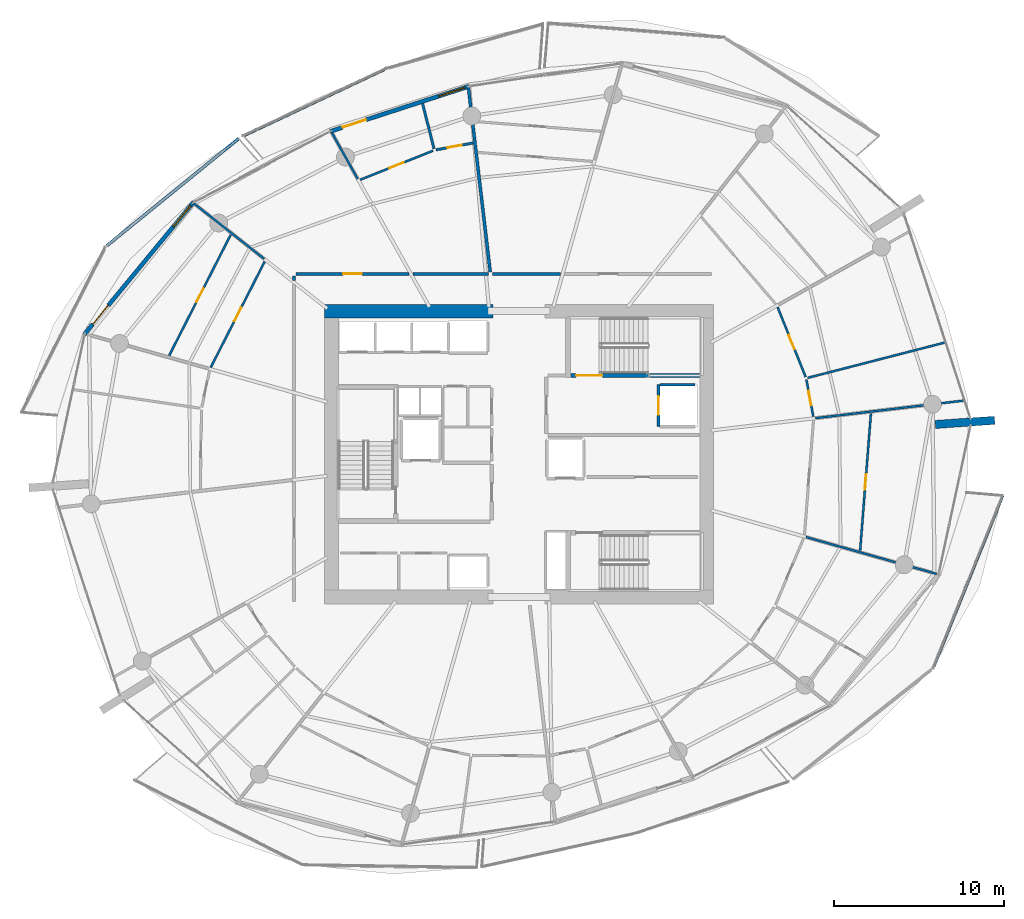
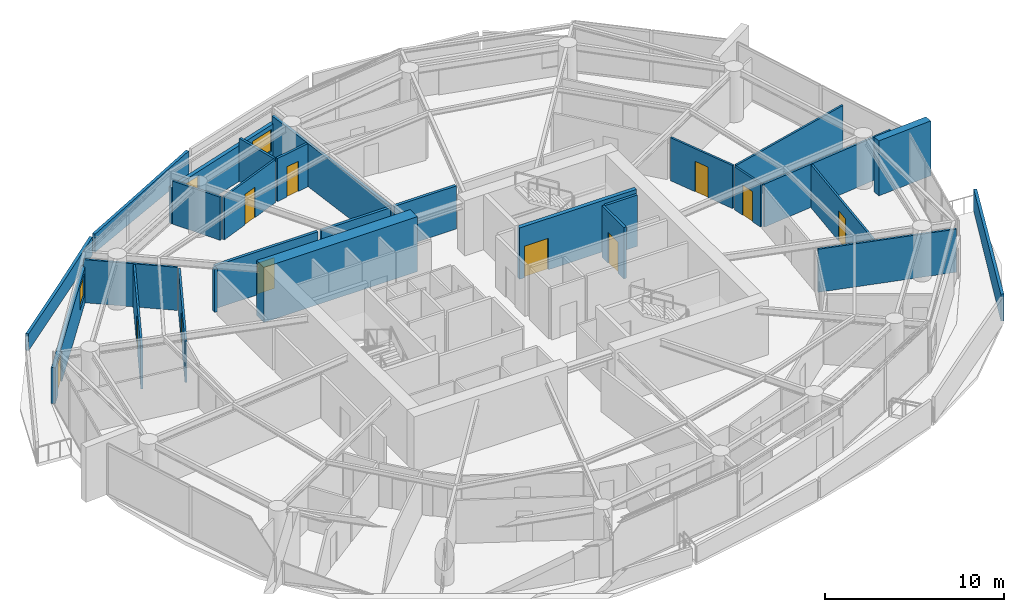
# One storey, part 14 of 20: 28 walls, 12 doors, 2 windows, 14 openings.
"""IFC4 building model written with IfcOpenShell, lengths in metres."""

from ifc_helpers import new_model, si_unit, direction, frame, frame_2d, origin, place, context, subcontext, project, spatial, polyline, rectangle, outline, extrude, material, layer, layer_set, type_object, element, fill, save


model = new_model("IFC4")

# Units and contexts
model_context = context("Model", 3, precision=1e-05, world=origin(), true_north=direction((0.0, 1.0)))
body_context = subcontext(model_context, "Body", "Model", "MODEL_VIEW")
ifc_project = project(units=[si_unit("LENGTHUNIT", "METRE"), si_unit("AREAUNIT", "SQUARE_METRE"), si_unit("VOLUMEUNIT", "CUBIC_METRE"), si_unit("PLANEANGLEUNIT", "RADIAN"), si_unit("MASSUNIT", "GRAM", prefix="KILO")], contexts=[model_context])

# Site, building, storey
site_placement = place(None, origin())
site = spatial("IfcSite", under=ifc_project, at=site_placement, CompositionType="ELEMENT")
building_placement = place(site_placement, origin())
building = spatial("IfcBuilding", under=site, at=building_placement, Name="Kazma Halo Residences", CompositionType="ELEMENT")
storey_placement = place(building_placement, frame((0.0, 0.0, 157.800048828125)))
storey = spatial("IfcBuildingStorey", under=building, at=storey_placement, Name="L39", CompositionType="ELEMENT", Elevation=157.800048828125)

# Walls
ifc_material_1 = material(Name="White Concrete C50/60 Balustrade", Category="concrete")
ifc_layer_1 = layer(ifc_material_1, 0.179931640625)
ifc_layer_set_1 = layer_set([ifc_layer_1], Name="White Concrete C50/60 Balustrade")
wall_type_1 = type_object("IfcWallType", Name="WL-BAL-WAVE-180", PredefinedType="PARAPET", material=ifc_layer_set_1)
wall_1_placement = place(storey_placement, frame((40.5224609375, 64.628173828125, 0.0), z_axis=(0.0, 0.0, 1.0), x_axis=(-0.904569140233, -0.42632695263, 0.0)))
element("IfcWall", 1, at=wall_1_placement, inside=storey, type_object=wall_type_1, Name="L39 white wave balustrade wall NNW.2", PredefinedType="PARAPET", context=body_context, shape_type="SweptSolid", body=[
    extrude(outline(polyline([(0.0, 0.0), (9.184326171875, 0.0), (9.184326171875, 1.23291015625), (4.59228515625, 1.41796875), (0.0, 1.6318359375), (0.0, 0.0)])), frame((0.0, 0.08984375, 0.0), z_axis=(0.0, -1.0, 0.0), x_axis=(1.0, 0.0, 0.0)), (0.0, 0.0, 1.0), 0.179931640625),
])
wall_2_placement = place(storey_placement, frame((31.951171875, 60.56005859375, 0.0), z_axis=(0.0, 0.0, 1.0), x_axis=(-0.77587192649, -0.630890445073, 0.0)))
element("IfcWall", 2, at=wall_2_placement, inside=storey, type_object=wall_type_1, Name="L39 white wave balustrade wall NW.1", PredefinedType="PARAPET", context=body_context, shape_type="SweptSolid", body=[
    extrude(outline(polyline([(0.0, 0.0), (9.99755859375, 0.0), (9.99755859375, 1.14794921875), (4.998779296875, 1.126953125), (0.0, 1.223876953125), (0.0, 0.0)])), frame((0.0, 0.08984375, 0.0), z_axis=(0.0, -1.0, 0.0), x_axis=(1.0, 0.0, 0.0)), (0.0, 0.0, 1.0), 0.179931640625),
])
wall_3_placement = place(storey_placement, frame((72.7998046875, 29.498046875, 0.0), z_axis=(0.0, 0.0, 1.0), x_axis=(0.373952087888, 0.927448023322, 0.0)))
element("IfcWall", 3, at=wall_3_placement, inside=storey, type_object=wall_type_1, Name="L39 white wave balustrade wall SE.2", PredefinedType="PARAPET", context=body_context, shape_type="SweptSolid", body=[
    extrude(outline(polyline([(0.0, 0.0), (10.840087890625, 0.0), (10.840087890625, 1.4970703125), (5.420166015625, 1.696044921875), (0.0, 1.83203125), (0.0, 0.0)])), frame((0.0, 0.08984375, 0.0), z_axis=(0.0, -1.0, 0.0), x_axis=(1.0, 0.0, 0.0)), (0.0, 0.0, 1.0), 0.179931640625),
])
ifc_material_2 = material(Name="Pale Concrete C60/75", Category="concrete")
ifc_layer_2 = layer(ifc_material_2, 0.47998046875)
ifc_layer_set_2 = layer_set([ifc_layer_2], Name="Pale Concrete C60/75")
wall_type_2 = type_object("IfcWallType", Name="WL-BLADE-480", PredefinedType="SOLIDWALL", material=ifc_layer_set_2)
wall_4_placement = place(storey_placement, frame((72.89697265625, 43.740966796875, 0.0), z_axis=(0.0, 0.0, 1.0), x_axis=(0.997564163539, 0.069754853754, 0.0)))
element("IfcWall", 4, at=wall_4_placement, inside=storey, type_object=wall_type_2, Name="L39 pale concrete structural blade fin wall BW-04", PredefinedType="SOLIDWALL", context=body_context, shape_type="SweptSolid", body=[
    extrude(rectangle(XDim=3.5, YDim=0.47998046875, at=frame_2d((1.75, 0.0))), origin(), (0.0, 0.0, 1.0), 3.75),
])
ifc_material_3 = material(Name="Concrete C80/95", Category="concrete")
ifc_layer_3 = layer(ifc_material_3, 0.800048828125)
ifc_layer_set_3 = layer_set([ifc_layer_3], Name="Concrete C80/95")
wall_type_3 = type_object("IfcWallType", Name="WL-CORE-800", PredefinedType="SHEAR", material=ifc_layer_set_3)
wall_5_placement = place(storey_placement, frame((37.0, 50.39990234375, 0.0), z_axis=(0.0, 0.0, 1.0), x_axis=(1.0, 0.0, 0.0)))
element("IfcWall", 5, at=wall_5_placement, inside=storey, type_object=wall_type_3, Name="L39 central core shear wall NW", PredefinedType="SHEAR", context=body_context, shape_type="SweptSolid", body=[
    extrude(rectangle(XDim=9.89990234375, YDim=0.800048828125, at=frame_2d((4.949951171875, 0.0))), origin(), (0.0, 0.0, 1.0), 3.75),
])
ifc_material_4 = material(Name="Acoustic Twin-Stud Gypsum")
ifc_layer_4 = layer(ifc_material_4, 0.179931640625)
ifc_layer_set_4 = layer_set([ifc_layer_4], Name="Acoustic Twin-Stud Gypsum")
wall_type_4 = type_object("IfcWallType", Name="WL-DEM-180", PredefinedType="PARTITIONING", material=ifc_layer_set_4)
wall_6_placement = place(storey_placement, frame((46.732421875, 52.709228515625, 0.0), z_axis=(0.0, 0.0, 1.0), x_axis=(-0.117537145285, 0.993068486802, 0.0)))
element("IfcWall", 6, at=wall_6_placement, inside=storey, type_object=wall_type_4, Name="L39 apartment demising radial wall 03", PredefinedType="PARTITIONING", context=body_context, shape_type="SweptSolid", body=[
    extrude(rectangle(XDim=10.95068359375, YDim=0.179931640625, at=frame_2d((5.475341796875, 0.0))), origin(), (0.0, 0.0, 1.0), 2.93994140625),
])

# Wall, opening, door
wall_7_placement = place(storey_placement, frame((41.943603515625, 52.60009765625, 0.0), z_axis=(0.0, 0.0, 1.0), x_axis=(-1.0, 0.0, 0.0)))
wall_7 = element("IfcWall", 7, at=wall_7_placement, inside=storey, type_object=wall_type_4, Name="L39 Apartment 1 entrance corridor wall", PredefinedType="PARTITIONING", context=body_context, shape_type="SweptSolid", body=[
    extrude(rectangle(XDim=6.62353515625, YDim=0.179931640625, at=frame_2d((3.311767578125, 0.0))), origin(), (0.0, 0.0, 1.0), 2.93994140625),
])
opening_1_placement = place(wall_7_placement, frame((2.76171875, 0.0, 0.0)))
opening_1 = element("IfcOpeningElement", 8, at=opening_1_placement, cuts=wall_7, Name="Opening DA-1100", PredefinedType="OPENING", context=body_context, shape_type="SweptSolid", body=[
    extrude(rectangle(XDim=1.10009765625, YDim=2.10009765625, at=frame_2d((0.550048828125, 1.050048828125))), frame((0.0, 0.099853515625, 0.0), z_axis=(0.0, -1.0, 0.0), x_axis=(1.0, 0.0, 0.0)), (0.0, 0.0, 1.0), 0.199951171875),
])
ifc_material_5 = material(Name="Acoustic Walnut Fire Leaf")
door_type_1 = type_object("IfcDoorType", Name="DR-FD60-1100", OperationType="NOTDEFINED", PredefinedType="DOOR", material=ifc_material_5)
door_1_placement = place(opening_1_placement, origin())
door_1 = element("IfcDoor", 9, at=door_1_placement, inside=storey, type_object=door_type_1, Name="L39 Apartment 1 entrance fire door", OperationType="SINGLE_SWING_LEFT", OverallHeight=2.10009765625, OverallWidth=1.10009765625, PredefinedType="DOOR", context=body_context, shape_type="SweptSolid", body=[
    extrude(rectangle(XDim=1.10009765625, YDim=2.10009765625, at=frame_2d((0.550048828125, 1.050048828125))), frame((0.0, 0.02490234375, 0.0), z_axis=(0.0, -1.0, 0.0), x_axis=(1.0, 0.0, 0.0)), (0.0, 0.0, 1.0), 0.050048828125),
])
fill(opening_1, door_1)

# Walls
wall_8_placement = place(storey_placement, frame((35.199951171875, 52.47998046875, 0.0), z_axis=(0.0, 0.0, 1.0), x_axis=(0.0, -1.0, 0.0)))
element("IfcWall", 10, at=wall_8_placement, inside=storey, type_object=wall_type_4, Name="L39 Apartment 1 entrance corridor wall", PredefinedType="PARTITIONING", context=body_context, shape_type="SweptSolid", body=[
    extrude(rectangle(XDim=0.269287109375, YDim=0.179931640625, at=frame_2d((0.134765625, 0.0))), origin(), (0.0, 0.0, 1.0), 2.93994140625),
])
wall_9_placement = place(storey_placement, frame((46.62548828125, 52.60009765625, 0.0), z_axis=(0.0, 0.0, 1.0), x_axis=(-1.0, 0.0, 0.0)))
element("IfcWall", 11, at=wall_9_placement, inside=storey, type_object=wall_type_4, Name="L39 Apartment 1 inner wall 3", PredefinedType="PARTITIONING", context=body_context, shape_type="SweptSolid", body=[
    extrude(rectangle(XDim=4.44189453125, YDim=0.179931640625, at=frame_2d((2.220947265625, 0.0))), origin(), (0.0, 0.0, 1.0), 2.93994140625),
])
wall_10_placement = place(storey_placement, frame((50.869384765625, 52.60009765625, 0.0), z_axis=(0.0, 0.0, 1.0), x_axis=(-1.0, 0.0, 0.0)))
element("IfcWall", 12, at=wall_10_placement, inside=storey, type_object=wall_type_4, Name="L39 Apartment 3 inner wall 2", PredefinedType="PARTITIONING", context=body_context, shape_type="SweptSolid", body=[
    extrude(rectangle(XDim=4.00390625, YDim=0.179931640625, at=frame_2d((2.001953125, 0.0))), origin(), (0.0, 0.0, 1.0), 2.93994140625),
])

# Wall, openings, door, window
ifc_material_6 = material(Name="Insulated Pale-Metal Composite Wall")
ifc_layer_5 = layer(ifc_material_6, 0.239990234375)
ifc_layer_set_5 = layer_set([ifc_layer_5], Name="Insulated Pale-Metal Composite Wall")
wall_type_5 = type_object("IfcWallType", Name="WL-EXT-HOST-240", PredefinedType="SOLIDWALL", material=ifc_layer_set_5)
wall_11_placement = place(storey_placement, frame((45.489990234375, 63.624267578125, 0.0), z_axis=(0.0, 0.0, 1.0), x_axis=(-0.951046390632, -0.309048156224, 0.0)))
wall_11 = element("IfcWall", 13, at=wall_11_placement, inside=storey, type_object=wall_type_5, Name="L39 exterior terrace-access wall B04", PredefinedType="SOLIDWALL", context=body_context, shape_type="SweptSolid", body=[
    extrude(rectangle(XDim=8.590087890625, YDim=0.239990234375, at=frame_2d((4.294921875, 0.0))), origin(), (0.0, 0.0, 1.0), 2.449951171875),
])
opening_2_placement = place(wall_11_placement, frame((6.370361328125, 0.0, 0.0)))
opening_2 = element("IfcOpeningElement", 14, at=opening_2_placement, cuts=wall_11, Name="Opening DTR-1600", PredefinedType="OPENING", context=body_context, shape_type="SweptSolid", body=[
    extrude(rectangle(XDim=1.449951171875, YDim=2.14990234375, at=frame_2d((0.72509765625, 1.074951171875))), frame((0.0, 0.1298828125, 0.0), z_axis=(0.0, -1.0, 0.0), x_axis=(1.0, 0.0, 0.0)), (0.0, 0.0, 1.0), 0.260009765625),
])
opening_3_placement = place(wall_11_placement, frame((0.280029296875, 0.0, 0.64990234375)))
opening_3 = element("IfcOpeningElement", 15, at=opening_3_placement, cuts=wall_11, Name="Opening W-1800", PredefinedType="OPENING", context=body_context, shape_type="SweptSolid", body=[
    extrude(rectangle(XDim=1.60009765625, YDim=1.5, at=frame_2d((0.800048828125, 0.75))), frame((0.0, 0.1298828125, 0.0), z_axis=(0.0, -1.0, 0.0), x_axis=(1.0, 0.0, 0.0)), (0.0, 0.0, 1.0), 0.260009765625),
])
ifc_material_7 = material(Name="Aluminium AW-6063 T6 Double-Glazed Terrace Door", Category="aluminium")
door_type_2 = type_object("IfcDoorType", Name="DR-EXT-TERR-1600", OperationType="NOTDEFINED", PredefinedType="DOOR", material=ifc_material_7)
door_2_placement = place(opening_2_placement, origin())
door_2 = element("IfcDoor", 16, at=door_2_placement, inside=storey, type_object=door_type_2, Name="L39 B04 balcony terrace door", OperationType="DOUBLE_DOOR_SLIDING", OverallHeight=2.14990234375, OverallWidth=1.449951171875, PredefinedType="DOOR", context=body_context, shape_type="SweptSolid", body=[
    extrude(rectangle(XDim=1.449951171875, YDim=2.14990234375, at=frame_2d((0.72509765625, 1.074951171875))), frame((0.0, 0.02490234375, 0.0), z_axis=(0.0, -1.0, 0.0), x_axis=(1.0, 0.0, 0.0)), (0.0, 0.0, 1.0), 0.050048828125),
])
fill(opening_2, door_2)
ifc_material_8 = material(Name="Clear Triple-Silver Low-E Glass in Aluminium AW-6063 T6 Frame", Category="aluminium")
window_type = type_object("IfcWindowType", Name="WIN-RES-1800", PartitioningType="DOUBLE_PANEL_VERTICAL", PredefinedType="WINDOW", material=ifc_material_8)
window_1_placement = place(opening_3_placement, origin())
window_1 = element("IfcWindow", 17, at=window_1_placement, inside=storey, type_object=window_type, Name="L39 B04 apartment window", OverallHeight=1.5, OverallWidth=1.60009765625, PartitioningType="SINGLE_PANEL", PredefinedType="WINDOW", context=body_context, shape_type="SweptSolid", body=[
    extrude(rectangle(XDim=1.60009765625, YDim=1.5, at=frame_2d((0.800048828125, 0.75))), frame((0.0, 0.030029296875, 0.0), z_axis=(0.0, -1.0, 0.0), x_axis=(1.0, 0.0, 0.0)), (0.0, 0.0, 1.0), 0.06005859375),
])
fill(opening_3, window_1)

wall_12_placement = place(storey_placement, frame((29.29052734375, 56.81298828125, 0.0), z_axis=(0.0, 0.0, 1.0), x_axis=(-0.636771922292, -0.77105221547, 0.0)))
wall_12 = element("IfcWall", 18, at=wall_12_placement, inside=storey, type_object=wall_type_5, Name="L39 exterior terrace-access wall B06", PredefinedType="SOLIDWALL", context=body_context, shape_type="SweptSolid", body=[
    extrude(rectangle(XDim=10.08154296875, YDim=0.239990234375, at=frame_2d((5.040771484375, 0.0))), origin(), (0.0, 0.0, 1.0), 2.449951171875),
])
opening_4_placement = place(wall_12_placement, frame((7.861572265625, 0.0, 0.0)))
opening_4 = element("IfcOpeningElement", 19, at=opening_4_placement, cuts=wall_12, Name="Opening DTR-1600", PredefinedType="OPENING", context=body_context, shape_type="SweptSolid", body=[
    extrude(rectangle(XDim=1.449951171875, YDim=2.14990234375, at=frame_2d((0.72509765625, 1.074951171875))), frame((0.0, 0.1298828125, 0.0), z_axis=(0.0, -1.0, 0.0), x_axis=(1.0, 0.0, 0.0)), (0.0, 0.0, 1.0), 0.260009765625),
])
opening_5_placement = place(wall_12_placement, frame((0.280029296875, 0.0, 0.64990234375)))
opening_5 = element("IfcOpeningElement", 20, at=opening_5_placement, cuts=wall_12, Name="Opening W-1800", PredefinedType="OPENING", context=body_context, shape_type="SweptSolid", body=[
    extrude(rectangle(XDim=1.60009765625, YDim=1.5, at=frame_2d((0.800048828125, 0.75))), frame((0.0, 0.1298828125, 0.0), z_axis=(0.0, -1.0, 0.0), x_axis=(1.0, 0.0, 0.0)), (0.0, 0.0, 1.0), 0.260009765625),
])
door_3_placement = place(opening_4_placement, origin())
door_3 = element("IfcDoor", 21, at=door_3_placement, inside=storey, type_object=door_type_2, Name="L39 B06 balcony terrace door", OperationType="DOUBLE_DOOR_SLIDING", OverallHeight=2.14990234375, OverallWidth=1.449951171875, PredefinedType="DOOR", context=body_context, shape_type="SweptSolid", body=[
    extrude(rectangle(XDim=1.449951171875, YDim=2.14990234375, at=frame_2d((0.72509765625, 1.074951171875))), frame((0.0, 0.02490234375, 0.0), z_axis=(0.0, -1.0, 0.0), x_axis=(1.0, 0.0, 0.0)), (0.0, 0.0, 1.0), 0.050048828125),
])
fill(opening_4, door_3)
window_2_placement = place(opening_5_placement, origin())
window_2 = element("IfcWindow", 22, at=window_2_placement, inside=storey, type_object=window_type, Name="L39 B06 apartment window", OverallHeight=1.5, OverallWidth=1.60009765625, PartitioningType="SINGLE_PANEL", PredefinedType="WINDOW", context=body_context, shape_type="SweptSolid", body=[
    extrude(rectangle(XDim=1.60009765625, YDim=1.5, at=frame_2d((0.800048828125, 0.75))), frame((0.0, 0.030029296875, 0.0), z_axis=(0.0, -1.0, 0.0), x_axis=(1.0, 0.0, 0.0)), (0.0, 0.0, 1.0), 0.06005859375),
])
fill(opening_5, window_2)

# Wall, opening, door
ifc_material_9 = material(Name="Fire-Rated Blockwork Masonry", Category="masonry")
ifc_layer_6 = layer(ifc_material_9, 0.199951171875)
ifc_layer_set_6 = layer_set([ifc_layer_6], Name="Fire-Rated Blockwork Masonry")
wall_type_6 = type_object("IfcWallType", Name="WL-FLB-200", PredefinedType="PARTITIONING", material=ifc_layer_set_6)
wall_13_placement = place(storey_placement, frame((56.6201171875, 46.080078125, 0.0), z_axis=(0.0, 0.0, 1.0), x_axis=(0.0, -1.0, 0.0)))
wall_13 = element("IfcWall", 23, at=wall_13_placement, inside=storey, type_object=wall_type_6, Name="L39 lift shaft FL-02 front wall", PredefinedType="PARTITIONING", context=body_context, shape_type="SweptSolid", body=[
    extrude(rectangle(XDim=2.4599609375, YDim=0.159912109375, at=frame_2d((1.22998046875, 0.0))), origin(), (0.0, 0.0, 1.0), 3.5),
])
opening_6_placement = place(wall_13_placement, frame((0.679931640625, 0.0, 0.0)))
opening_6 = element("IfcOpeningElement", 24, at=opening_6_placement, cuts=wall_13, Name="Opening LD-FL-02", PredefinedType="OPENING", context=body_context, shape_type="SweptSolid", body=[
    extrude(rectangle(XDim=1.10009765625, YDim=2.10009765625, at=frame_2d((0.550048828125, 1.050048828125))), frame((0.0, 0.08984375, 0.0), z_axis=(0.0, -1.0, 0.0), x_axis=(1.0, 0.0, 0.0)), (0.0, 0.0, 1.0), 0.179931640625),
])
ifc_material_10 = material(Name="Stainless Steel Fire-Rated", Category="steel")
door_type_3 = type_object("IfcDoorType", Name="DR-LIFT-SLD-1100", OperationType="DOUBLE_DOOR_SLIDING", PredefinedType="DOOR", material=ifc_material_10)
door_4_placement = place(opening_6_placement, origin())
door_4 = element("IfcDoor", 25, at=door_4_placement, inside=storey, type_object=door_type_3, Name="L39 lift FL-02 sliding landing door", OperationType="DOUBLE_DOOR_SLIDING", OverallHeight=2.10009765625, OverallWidth=1.10009765625, PredefinedType="DOOR", context=body_context, shape_type="SweptSolid", body=[
    extrude(rectangle(XDim=1.10009765625, YDim=2.10009765625, at=frame_2d((0.550048828125, 1.050048828125))), frame((0.0, 0.02490234375, 0.0), z_axis=(0.0, -1.0, 0.0), x_axis=(1.0, 0.0, 0.0)), (0.0, 0.0, 1.0), 0.050048828125),
])
fill(opening_6, door_4)

# Walls
wall_14_placement = place(storey_placement, frame((56.719970703125, 46.080078125, 0.0), z_axis=(0.0, 0.0, 1.0), x_axis=(1.0, 0.0, 0.0)))
element("IfcWall", 26, at=wall_14_placement, inside=storey, type_object=wall_type_6, Name="L39 lift shaft FL-02 side wall N", PredefinedType="PARTITIONING", context=body_context, shape_type="SweptSolid", body=[
    extrude(rectangle(XDim=2.06005859375, YDim=0.159912109375, at=frame_2d((1.030029296875, 0.0))), origin(), (0.0, 0.0, 1.0), 3.5),
])
ifc_material_11 = material(Name="Gypsum Plasterboard Partition")
ifc_layer_7 = layer(ifc_material_11, 0.125)
ifc_layer_set_7 = layer_set([ifc_layer_7], Name="Gypsum Plasterboard Partition")
wall_type_7 = type_object("IfcWallType", Name="WL-PART-125", PredefinedType="PARTITIONING", material=ifc_layer_set_7)
wall_15_placement = place(storey_placement, frame((38.94140625, 58.17529296875, 0.0), z_axis=(0.0, 0.0, 1.0), x_axis=(-0.488620181058, 0.872496600946, 0.0)))
element("IfcWall", 27, at=wall_15_placement, inside=storey, type_object=wall_type_7, Name="L39 Apartment 1 living radial partition 3", PredefinedType="PARTITIONING", context=body_context, shape_type="SweptSolid", body=[
    extrude(rectangle(XDim=3.095458984375, YDim=0.125, at=frame_2d((1.5478515625, 0.0))), origin(), (0.0, 0.0, 1.0), 2.93994140625),
])

# Wall, opening, door
wall_16_placement = place(storey_placement, frame((43.365966796875, 59.835205078125, 0.0), z_axis=(0.0, 0.0, 1.0), x_axis=(-0.928691950022, -0.370852075584, 0.0)))
wall_16 = element("IfcWall", 28, at=wall_16_placement, inside=storey, type_object=wall_type_7, Name="L39 Apartment 1 Gourmet Kitchen hall wall", PredefinedType="PARTITIONING", context=body_context, shape_type="SweptSolid", body=[
    extrude(rectangle(XDim=4.611572265625, YDim=0.125, at=frame_2d((2.3056640625, 0.0))), origin(), (0.0, 0.0, 1.0), 2.93994140625),
])
opening_7_placement = place(wall_16_placement, frame((1.855712890625, 0.0, 0.0)))
opening_7 = element("IfcOpeningElement", 29, at=opening_7_placement, cuts=wall_16, Name="Opening DI-950", PredefinedType="OPENING", context=body_context, shape_type="SweptSolid", body=[
    extrude(rectangle(XDim=0.89990234375, YDim=2.080078125, at=frame_2d((0.449951171875, 1.0400390625))), frame((0.0, 0.072509765625, 0.0), z_axis=(0.0, -1.0, 0.0), x_axis=(1.0, 0.0, 0.0)), (0.0, 0.0, 1.0), 0.14501953125),
])
ifc_material_12 = material(Name="Timber Veneer Flush Leaf", Category="wood")
door_type_4 = type_object("IfcDoorType", Name="DR-INT-950", OperationType="NOTDEFINED", PredefinedType="DOOR", material=ifc_material_12)
door_5_placement = place(opening_7_placement, origin())
door_5 = element("IfcDoor", 30, at=door_5_placement, inside=storey, type_object=door_type_4, Name="L39 Apartment 1 Gourmet Kitchen door", OperationType="SINGLE_SWING_LEFT", OverallHeight=2.080078125, OverallWidth=0.89990234375, PredefinedType="DOOR", context=body_context, shape_type="SweptSolid", body=[
    extrude(rectangle(XDim=0.89990234375, YDim=2.080078125, at=frame_2d((0.449951171875, 1.0400390625))), frame((0.0, 0.02490234375, 0.0), z_axis=(0.0, -1.0, 0.0), x_axis=(1.0, 0.0, 0.0)), (0.0, 0.0, 1.0), 0.050048828125),
])
fill(opening_7, door_5)

# Wall
wall_17_placement = place(storey_placement, frame((33.44091796875, 53.477294921875, 0.0), z_axis=(0.0, 0.0, 1.0), x_axis=(-0.785319981095, 0.619090080112, 0.0)))
element("IfcWall", 31, at=wall_17_placement, inside=storey, type_object=wall_type_7, Name="L39 Apartment 1 radial partition 5", PredefinedType="PARTITIONING", context=body_context, shape_type="SweptSolid", body=[
    extrude(rectangle(XDim=5.300537109375, YDim=0.125, at=frame_2d((2.650390625, 0.0))), origin(), (0.0, 0.0, 1.0), 2.93994140625),
])

# Wall, opening, door
wall_18_placement = place(storey_placement, frame((33.469482421875, 53.3173828125, 0.0), z_axis=(0.0, 0.0, 1.0), x_axis=(-0.453977694262, -0.891013048789, 0.0)))
wall_18 = element("IfcWall", 32, at=wall_18_placement, inside=storey, type_object=wall_type_7, Name="L39 Apartment 1 East Study hall wall", PredefinedType="PARTITIONING", context=body_context, shape_type="SweptSolid", body=[
    extrude(rectangle(XDim=6.974365234375, YDim=0.125, at=frame_2d((3.4873046875, 0.0))), origin(), (0.0, 0.0, 1.0), 2.93994140625),
])
opening_8_placement = place(wall_18_placement, frame((3.037353515625, 0.0, 0.0)))
opening_8 = element("IfcOpeningElement", 33, at=opening_8_placement, cuts=wall_18, Name="Opening DI-950", PredefinedType="OPENING", context=body_context, shape_type="SweptSolid", body=[
    extrude(rectangle(XDim=0.89990234375, YDim=2.080078125, at=frame_2d((0.449951171875, 1.0400390625))), frame((0.0, 0.072509765625, 0.0), z_axis=(0.0, -1.0, 0.0), x_axis=(1.0, 0.0, 0.0)), (0.0, 0.0, 1.0), 0.14501953125),
])
door_6_placement = place(opening_8_placement, origin())
door_6 = element("IfcDoor", 34, at=door_6_placement, inside=storey, type_object=door_type_4, Name="L39 Apartment 1 East Study door", OperationType="SINGLE_SWING_LEFT", OverallHeight=2.080078125, OverallWidth=0.89990234375, PredefinedType="DOOR", context=body_context, shape_type="SweptSolid", body=[
    extrude(rectangle(XDim=0.89990234375, YDim=2.080078125, at=frame_2d((0.449951171875, 1.0400390625))), frame((0.0, 0.02490234375, 0.0), z_axis=(0.0, -1.0, 0.0), x_axis=(1.0, 0.0, 0.0)), (0.0, 0.0, 1.0), 0.050048828125),
])
fill(opening_8, door_6)

wall_19_placement = place(storey_placement, frame((31.4716796875, 54.892333984375, 0.0), z_axis=(0.0, 0.0, 1.0), x_axis=(-0.453991424948, -0.89100605277, 0.0)))
wall_19 = element("IfcWall", 35, at=wall_19_placement, inside=storey, type_object=wall_type_7, Name="L39 Apartment 1 West Master Bedroom divider wall", PredefinedType="PARTITIONING", context=body_context, shape_type="SweptSolid", body=[
    extrude(rectangle(XDim=7.967041015625, YDim=0.125, at=frame_2d((3.9833984375, 0.0))), origin(), (0.0, 0.0, 1.0), 2.93994140625),
])
opening_9_placement = place(wall_19_placement, frame((3.53369140625, 0.0, 0.0)))
opening_9 = element("IfcOpeningElement", 36, at=opening_9_placement, cuts=wall_19, Name="Opening DI-950", PredefinedType="OPENING", context=body_context, shape_type="SweptSolid", body=[
    extrude(rectangle(XDim=0.89990234375, YDim=2.080078125, at=frame_2d((0.449951171875, 1.0400390625))), frame((0.0, 0.072509765625, 0.0), z_axis=(0.0, -1.0, 0.0), x_axis=(1.0, 0.0, 0.0)), (0.0, 0.0, 1.0), 0.14501953125),
])
door_7_placement = place(opening_9_placement, origin())
door_7 = element("IfcDoor", 37, at=door_7_placement, inside=storey, type_object=door_type_4, Name="L39 Apartment 1 West Master Bedroom door", OperationType="SINGLE_SWING_RIGHT", OverallHeight=2.080078125, OverallWidth=0.89990234375, PredefinedType="DOOR", context=body_context, shape_type="SweptSolid", body=[
    extrude(rectangle(XDim=0.89990234375, YDim=2.080078125, at=frame_2d((0.449951171875, 1.0400390625))), frame((0.0, 0.02490234375, 0.0), z_axis=(0.0, -1.0, 0.0), x_axis=(1.0, 0.0, 0.0)), (0.0, 0.0, 1.0), 0.050048828125),
])
fill(opening_9, door_7)

# Wall
wall_20_placement = place(storey_placement, frame((65.29541015625, 37.122314453125, 0.0), z_axis=(0.0, 0.0, 1.0), x_axis=(0.962453364466, -0.271447087346, 0.0)))
element("IfcWall", 38, at=wall_20_placement, inside=storey, type_object=wall_type_7, Name="L39 Apartment 3 radial partition 14", PredefinedType="PARTITIONING", context=body_context, shape_type="SweptSolid", body=[
    extrude(rectangle(XDim=7.981201171875, YDim=0.125, at=frame_2d((3.99072265625, 0.0))), origin(), (0.0, 0.0, 1.0), 2.93994140625),
])

# Wall, opening, door
wall_21_placement = place(storey_placement, frame((68.47900390625, 36.33642578125, 0.0), z_axis=(0.0, 0.0, 1.0), x_axis=(0.078482765766, 0.996915470578, 0.0)))
wall_21 = element("IfcWall", 39, at=wall_21_placement, inside=storey, type_object=wall_type_7, Name="L39 Apartment 3 Outer Master Bedroom divider wall", PredefinedType="PARTITIONING", context=body_context, shape_type="SweptSolid", body=[
    extrude(rectangle(XDim=8.07861328125, YDim=0.125, at=frame_2d((4.039306640625, 0.0))), origin(), (0.0, 0.0, 1.0), 2.93994140625),
])
opening_10_placement = place(wall_21_placement, frame((3.58935546875, 0.0, 0.0)))
opening_10 = element("IfcOpeningElement", 40, at=opening_10_placement, cuts=wall_21, Name="Opening DI-950", PredefinedType="OPENING", context=body_context, shape_type="SweptSolid", body=[
    extrude(rectangle(XDim=0.89990234375, YDim=2.080078125, at=frame_2d((0.449951171875, 1.0400390625))), frame((0.0, 0.072509765625, 0.0), z_axis=(0.0, -1.0, 0.0), x_axis=(1.0, 0.0, 0.0)), (0.0, 0.0, 1.0), 0.14501953125),
])
door_8_placement = place(opening_10_placement, origin())
door_8 = element("IfcDoor", 41, at=door_8_placement, inside=storey, type_object=door_type_4, Name="L39 Apartment 3 Outer Master Bedroom door", OperationType="SINGLE_SWING_LEFT", OverallHeight=2.080078125, OverallWidth=0.89990234375, PredefinedType="DOOR", context=body_context, shape_type="SweptSolid", body=[
    extrude(rectangle(XDim=0.89990234375, YDim=2.080078125, at=frame_2d((0.449951171875, 1.0400390625))), frame((0.0, 0.02490234375, 0.0), z_axis=(0.0, -1.0, 0.0), x_axis=(1.0, 0.0, 0.0)), (0.0, 0.0, 1.0), 0.050048828125),
])
fill(opening_10, door_8)

# Walls
wall_22_placement = place(storey_placement, frame((65.845458984375, 44.1123046875, 0.0), z_axis=(0.0, 0.0, 1.0), x_axis=(0.993069843717, 0.117525680174, 0.0)))
element("IfcWall", 42, at=wall_22_placement, inside=storey, type_object=wall_type_7, Name="L39 Apartment 3 radial partition 15", PredefinedType="PARTITIONING", context=body_context, shape_type="SweptSolid", body=[
    extrude(rectangle(XDim=8.816162109375, YDim=0.125, at=frame_2d((4.408203125, 0.0))), origin(), (0.0, 0.0, 1.0), 2.93994140625),
])
wall_23_placement = place(storey_placement, frame((65.392333984375, 46.480224609375, 0.0), z_axis=(0.0, 0.0, 1.0), x_axis=(0.968391846752, 0.249433821172, 0.0)))
element("IfcWall", 43, at=wall_23_placement, inside=storey, type_object=wall_type_7, Name="L39 Apartment 3 mid-bay wall 15", PredefinedType="PARTITIONING", context=body_context, shape_type="SweptSolid", body=[
    extrude(rectangle(XDim=8.36181640625, YDim=0.125, at=frame_2d((4.180908203125, 0.0))), origin(), (0.0, 0.0, 1.0), 2.93994140625),
])

# Wall, opening, door
wall_24_placement = place(storey_placement, frame((65.727783203125, 44.19873046875, 0.0), z_axis=(0.0, 0.0, 1.0), x_axis=(-0.183909749888, 0.982943133602, 0.0)))
wall_24 = element("IfcWall", 44, at=wall_24_placement, inside=storey, type_object=wall_type_7, Name="L39 Apartment 3 Corner Bedroom hall wall", PredefinedType="PARTITIONING", context=body_context, shape_type="SweptSolid", body=[
    extrude(rectangle(XDim=2.21826171875, YDim=0.125, at=frame_2d((1.109130859375, 0.0))), origin(), (0.0, 0.0, 1.0), 2.93994140625),
])
opening_11_placement = place(wall_24_placement, frame((0.68408203125, 0.0, 0.0)))
opening_11 = element("IfcOpeningElement", 45, at=opening_11_placement, cuts=wall_24, Name="Opening DB-900", PredefinedType="OPENING", context=body_context, shape_type="SweptSolid", body=[
    extrude(rectangle(XDim=0.85009765625, YDim=2.06005859375, at=frame_2d((0.425048828125, 1.030029296875))), frame((0.0, 0.072509765625, 0.0), z_axis=(0.0, -1.0, 0.0), x_axis=(1.0, 0.0, 0.0)), (0.0, 0.0, 1.0), 0.14501953125),
])
ifc_material_13 = material(Name="Moisture-Sealed Timber Leaf", Category="wood")
door_type_5 = type_object("IfcDoorType", Name="DR-BTH-900", OperationType="NOTDEFINED", PredefinedType="DOOR", material=ifc_material_13)
door_9_placement = place(opening_11_placement, origin())
door_9 = element("IfcDoor", 46, at=door_9_placement, inside=storey, type_object=door_type_5, Name="L39 Apartment 3 Corner Bedroom door", OperationType="SINGLE_SWING_LEFT", OverallHeight=2.06005859375, OverallWidth=0.85009765625, PredefinedType="DOOR", context=body_context, shape_type="SweptSolid", body=[
    extrude(rectangle(XDim=0.85009765625, YDim=2.06005859375, at=frame_2d((0.425048828125, 1.030029296875))), frame((0.0, 0.02490234375, 0.0), z_axis=(0.0, -1.0, 0.0), x_axis=(1.0, 0.0, 0.0)), (0.0, 0.0, 1.0), 0.050048828125),
])
fill(opening_11, door_9)

wall_25_placement = place(storey_placement, frame((65.275390625, 46.531982421875, 0.0), z_axis=(0.0, 0.0, 1.0), x_axis=(-0.372161107737, 0.928168147421, 0.0)))
wall_25 = element("IfcWall", 47, at=wall_25_placement, inside=storey, type_object=wall_type_7, Name="L39 Apartment 3 Garden Master Bedroom hall wall", PredefinedType="PARTITIONING", context=body_context, shape_type="SweptSolid", body=[
    extrude(rectangle(XDim=4.4248046875, YDim=0.125, at=frame_2d((2.21240234375, 0.0))), origin(), (0.0, 0.0, 1.0), 2.93994140625),
])
opening_12_placement = place(wall_25_placement, frame((1.76220703125, 0.0, 0.0)))
opening_12 = element("IfcOpeningElement", 48, at=opening_12_placement, cuts=wall_25, Name="Opening DI-950", PredefinedType="OPENING", context=body_context, shape_type="SweptSolid", body=[
    extrude(rectangle(XDim=0.89990234375, YDim=2.080078125, at=frame_2d((0.449951171875, 1.0400390625))), frame((0.0, 0.072509765625, 0.0), z_axis=(0.0, -1.0, 0.0), x_axis=(1.0, 0.0, 0.0)), (0.0, 0.0, 1.0), 0.14501953125),
])
door_10_placement = place(opening_12_placement, origin())
door_10 = element("IfcDoor", 49, at=door_10_placement, inside=storey, type_object=door_type_4, Name="L39 Apartment 3 Garden Master Bedroom door", OperationType="SINGLE_SWING_RIGHT", OverallHeight=2.080078125, OverallWidth=0.89990234375, PredefinedType="DOOR", context=body_context, shape_type="SweptSolid", body=[
    extrude(rectangle(XDim=0.89990234375, YDim=2.080078125, at=frame_2d((0.449951171875, 1.0400390625))), frame((0.0, 0.02490234375, 0.0), z_axis=(0.0, -1.0, 0.0), x_axis=(1.0, 0.0, 0.0)), (0.0, 0.0, 1.0), 0.050048828125),
])
fill(opening_12, door_10)

ifc_material_14 = material(Name="Concrete C50/60", Category="concrete")
ifc_layer_8 = layer(ifc_material_14, 0.25)
ifc_layer_set_8 = layer_set([ifc_layer_8], Name="Concrete C50/60")
wall_type_8 = type_object("IfcWallType", Name="WL-SHF-250", PredefinedType="SOLIDWALL", material=ifc_layer_set_8)
wall_26_placement = place(storey_placement, frame((51.47998046875, 46.6201171875, 0.0), z_axis=(0.0, 0.0, 1.0), x_axis=(1.0, 0.0, 0.0)))
wall_26 = element("IfcWall", 50, at=wall_26_placement, inside=storey, type_object=wall_type_8, Name="L39 exit stair ST-02 enclosure wall", PredefinedType="SOLIDWALL", context=body_context, shape_type="SweptSolid", body=[
    extrude(rectangle(XDim=7.5400390625, YDim=0.25, at=frame_2d((3.77001953125, 0.0))), origin(), (0.0, 0.0, 1.0), 3.5),
])
opening_13_placement = place(wall_26_placement, frame((0.300048828125, 0.0, 0.0)))
opening_13 = element("IfcOpeningElement", 51, at=opening_13_placement, cuts=wall_26, Name="Opening D-ST2", PredefinedType="OPENING", context=body_context, shape_type="SweptSolid", body=[
    extrude(rectangle(XDim=1.550048828125, YDim=2.14990234375, at=frame_2d((0.77490234375, 1.074951171875))), frame((0.0, 0.135009765625, 0.0), z_axis=(0.0, -1.0, 0.0), x_axis=(1.0, 0.0, 0.0)), (0.0, 0.0, 1.0), 0.27001953125),
])
ifc_material_15 = material(Name="Fire-Rated Double Steel Leaf", Category="steel")
door_type_6 = type_object("IfcDoorType", Name="DR-FD90-1550", OperationType="NOTDEFINED", PredefinedType="DOOR", material=ifc_material_15)
door_11_placement = place(opening_13_placement, origin())
door_11 = element("IfcDoor", 52, at=door_11_placement, inside=storey, type_object=door_type_6, Name="L39 exit stair ST-02 fire door", OperationType="DOUBLE_DOOR_SINGLE_SWING", OverallHeight=2.14990234375, OverallWidth=1.550048828125, PredefinedType="DOOR", context=body_context, shape_type="SweptSolid", body=[
    extrude(rectangle(XDim=1.550048828125, YDim=2.14990234375, at=frame_2d((0.77490234375, 1.074951171875))), frame((0.0, 0.02490234375, 0.0), z_axis=(0.0, -1.0, 0.0), x_axis=(1.0, 0.0, 0.0)), (0.0, 0.0, 1.0), 0.050048828125),
])
fill(opening_13, door_11)

ifc_material_16 = material(Name="Moisture-Resistant Gypsum")
ifc_layer_9 = layer(ifc_material_16, 0.14990234375)
ifc_layer_set_9 = layer_set([ifc_layer_9], Name="Moisture-Resistant Gypsum")
wall_type_9 = type_object("IfcWallType", Name="WL-WET-150", PredefinedType="PARTITIONING", material=ifc_layer_set_9)
wall_27_placement = place(storey_placement, frame((45.734375, 60.29296875, 0.0), z_axis=(0.0, 0.0, 1.0), x_axis=(-0.983182569162, -0.182625397184, 0.0)))
wall_27 = element("IfcWall", 53, at=wall_27_placement, inside=storey, type_object=wall_type_9, Name="L39 Apartment 1 Guest Bathroom hall wall", PredefinedType="PARTITIONING", context=body_context, shape_type="SweptSolid", body=[
    extrude(rectangle(XDim=2.23388671875, YDim=0.14990234375, at=frame_2d((1.116943359375, 0.0))), origin(), (0.0, 0.0, 1.0), 2.93994140625),
])
opening_14_placement = place(wall_27_placement, frame((0.69189453125, 0.0, 0.0)))
opening_14 = element("IfcOpeningElement", 54, at=opening_14_placement, cuts=wall_27, Name="Opening DB-900", PredefinedType="OPENING", context=body_context, shape_type="SweptSolid", body=[
    extrude(rectangle(XDim=0.85009765625, YDim=2.06005859375, at=frame_2d((0.425048828125, 1.030029296875))), frame((0.0, 0.0849609375, 0.0), z_axis=(0.0, -1.0, 0.0), x_axis=(1.0, 0.0, 0.0)), (0.0, 0.0, 1.0), 0.169921875),
])
door_12_placement = place(opening_14_placement, origin())
door_12 = element("IfcDoor", 55, at=door_12_placement, inside=storey, type_object=door_type_5, Name="L39 Apartment 1 Guest Bathroom door", OperationType="SINGLE_SWING_LEFT", OverallHeight=2.06005859375, OverallWidth=0.85009765625, PredefinedType="DOOR", context=body_context, shape_type="SweptSolid", body=[
    extrude(rectangle(XDim=0.85009765625, YDim=2.06005859375, at=frame_2d((0.425048828125, 1.030029296875))), frame((0.0, 0.02490234375, 0.0), z_axis=(0.0, -1.0, 0.0), x_axis=(1.0, 0.0, 0.0)), (0.0, 0.0, 1.0), 0.050048828125),
])
fill(opening_14, door_12)

# Wall
wall_28_placement = place(storey_placement, frame((43.42724609375, 59.955810546875, 0.0), z_axis=(0.0, 0.0, 1.0), x_axis=(-0.246779972966, 0.969071537578, 0.0)))
element("IfcWall", 56, at=wall_28_placement, inside=storey, type_object=wall_type_9, Name="L39 Apartment 1 Guest Bathroom side wall", PredefinedType="PARTITIONING", context=body_context, shape_type="SweptSolid", body=[
    extrude(rectangle(XDim=2.732421875, YDim=0.14990234375, at=frame_2d((1.3662109375, 0.0))), origin(), (0.0, 0.0, 1.0), 2.93994140625),
])

save(model, "model.ifc")
